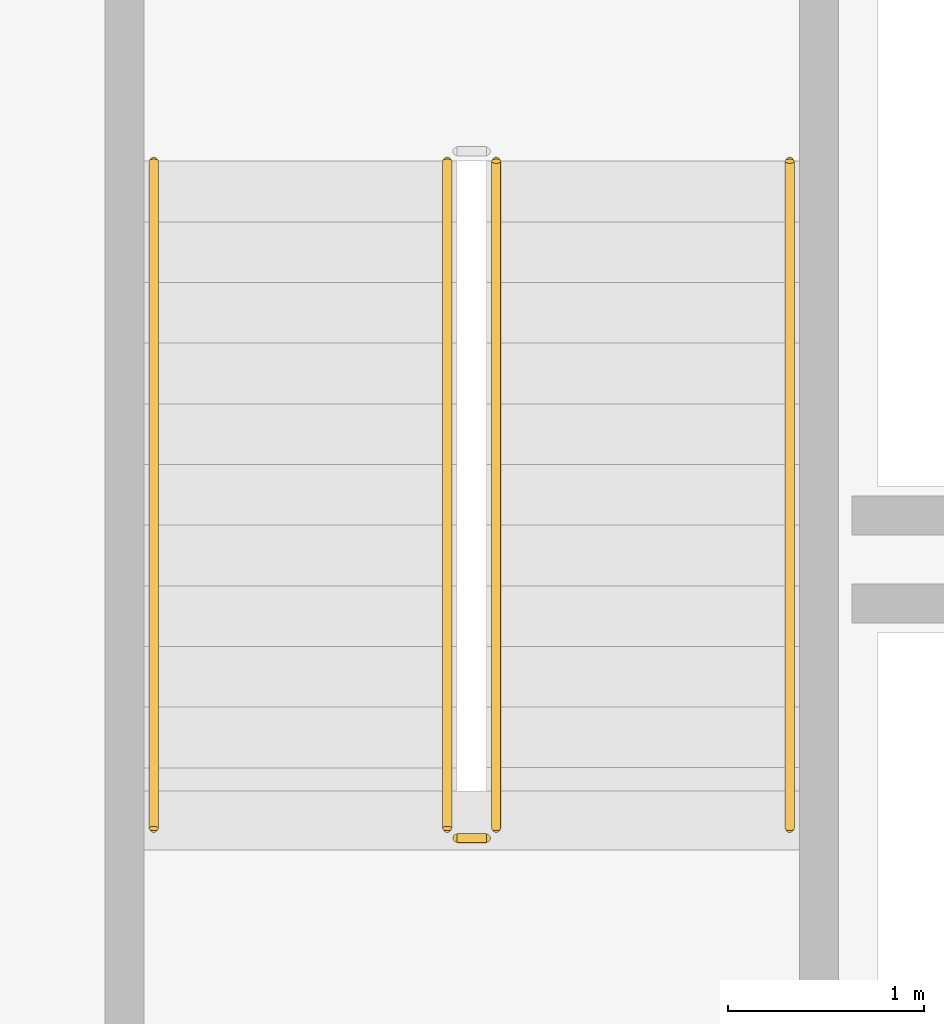
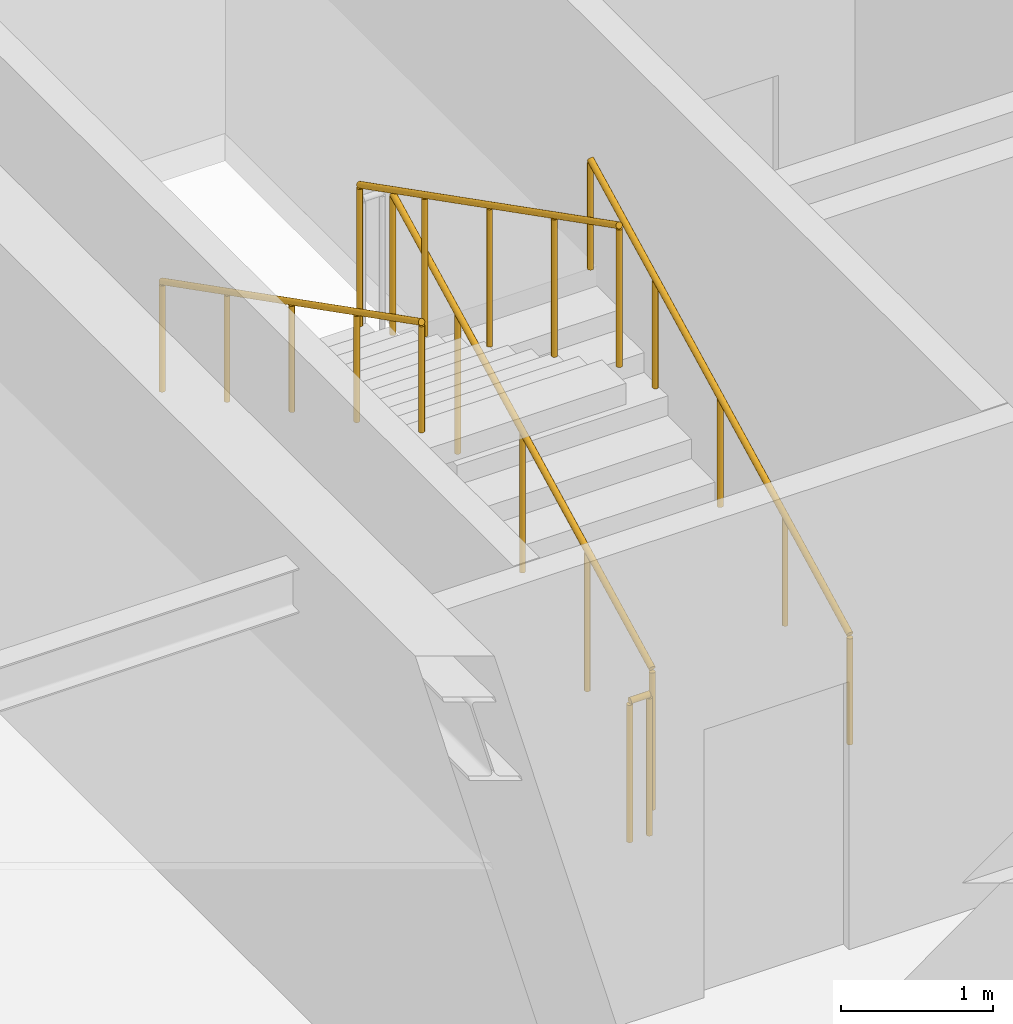
# One storey, part 15 of 20: 5 railings.
"""IFC4 building model written with IfcOpenShell, lengths in metres."""

from ifc_helpers import new_model, si_unit, direction, frame, origin, origin_2d, place, context, subcontext, project, spatial, circle, extrude, material, type_object, element, save


model = new_model("IFC4")

# Units and contexts
model_context = context("Model", 3, precision=1e-05, world=origin(), true_north=direction((0.0, 1.0)))
body_context = subcontext(model_context, "Body", "Model", "MODEL_VIEW")
ifc_project = project(units=[si_unit("LENGTHUNIT", "METRE"), si_unit("AREAUNIT", "SQUARE_METRE"), si_unit("VOLUMEUNIT", "CUBIC_METRE"), si_unit("PLANEANGLEUNIT", "RADIAN"), si_unit("MASSUNIT", "GRAM", prefix="KILO")], contexts=[model_context])

# Site, building, storey
site_placement = place(None, origin())
site = spatial("IfcSite", under=ifc_project, at=site_placement, CompositionType="ELEMENT")
building_placement = place(site_placement, origin())
building = spatial("IfcBuilding", under=site, at=building_placement, Name="Vaeldorn Concourse Tower", CompositionType="ELEMENT")
storey_placement = place(building_placement, frame((0.0, 0.0, 284.0)))
storey = spatial("IfcBuildingStorey", under=building, at=storey_placement, Name="L73", CompositionType="ELEMENT", Elevation=284.0)

# Railings
ifc_material = material(Name="Anodised Bronze Aluminium", Category="aluminium")
railing_type_1 = type_object("IfcRailingType", Name="RL-STAIR-GUARD", PredefinedType="GUARDRAIL", material=ifc_material)
railing_1_placement = place(storey_placement, frame((16.85009765625, 41.60009765625, 0.158447265625)))
element("IfcRailing", 1, at=railing_1_placement, inside=storey, type_object=railing_type_1, Name="L73 ST-1 stair guard 1", PredefinedType="GUARDRAIL", context=body_context, shape_type="SweptSolid", body=[
    extrude(circle(Radius=0.02392578125, at=origin_2d()), frame((0.0, 0.0, 1.1259765625), z_axis=(0.0, 0.890581635807, 0.454823427236), x_axis=(-1.0, 0.0, 0.0)), (0.0, 0.0, 1.0), 3.828857421875),
    extrude(circle(Radius=0.02099609375, at=origin_2d()), origin(), (0.0, 0.0, 1.0), 1.101806640625),
    extrude(circle(Radius=0.02099609375, at=origin_2d()), frame((0.0, 0.8525390625, 0.435302734375)), (0.0, 0.0, 1.0), 1.101806640625),
    extrude(circle(Radius=0.02099609375, at=origin_2d()), frame((0.0, 1.705078125, 0.87060546875)), (0.0, 0.0, 1.0), 1.101806640625),
    extrude(circle(Radius=0.02099609375, at=origin_2d()), frame((0.0, 2.557373046875, 1.30615234375)), (0.0, 0.0, 1.0), 1.101806640625),
    extrude(circle(Radius=0.02099609375, at=origin_2d()), frame((0.0, 3.409912109375, 1.741455078125)), (0.0, 0.0, 1.0), 1.101806640625),
])
railing_2_placement = place(storey_placement, frame((16.60009765625, 45.010009765625, 2.058349609375)))
element("IfcRailing", 2, at=railing_2_placement, inside=storey, type_object=railing_type_1, Name="L73 ST-1 stair guard 3", PredefinedType="GUARDRAIL", context=body_context, shape_type="SweptSolid", body=[
    extrude(circle(Radius=0.02392578125, at=origin_2d()), frame((0.0, 0.0, 1.1259765625), z_axis=(0.0, -0.890555807335, 0.454873997962), x_axis=(1.0, 0.0, 0.0)), (0.0, 0.0, 1.0), 3.828857421875),
    extrude(circle(Radius=0.02099609375, at=origin_2d()), origin(), (0.0, 0.0, 1.0), 1.101806640625),
    extrude(circle(Radius=0.02099609375, at=origin_2d()), frame((0.0, -0.8525390625, 0.435546875)), (0.0, 0.0, 1.0), 1.101806640625),
    extrude(circle(Radius=0.02099609375, at=origin_2d()), frame((0.0, -1.705078125, 0.870849609375)), (0.0, 0.0, 1.0), 1.101806640625),
    extrude(circle(Radius=0.02099609375, at=origin_2d()), frame((0.0, -2.557373046875, 1.30615234375)), (0.0, 0.0, 1.0), 1.101806640625),
    extrude(circle(Radius=0.02099609375, at=origin_2d()), frame((0.0, -3.409912109375, 1.74169921875)), (0.0, 0.0, 1.0), 1.101806640625),
])
railing_3_placement = place(storey_placement, frame((16.800048828125, 41.550048828125, 0.0)))
element("IfcRailing", 3, at=railing_3_placement, inside=storey, type_object=railing_type_1, Name="L73 ST-1 stair guard 4", PredefinedType="GUARDRAIL", context=body_context, shape_type="SweptSolid", body=[
    extrude(circle(Radius=0.02392578125, at=origin_2d()), frame((0.0, 0.0, 1.1259765625), z_axis=(-1.0, 0.0, 0.0), x_axis=(0.0, -1.0, 0.0)), (0.0, 0.0, 1.0), 0.150146484375),
    extrude(circle(Radius=0.02099609375, at=origin_2d()), origin(), (0.0, 0.0, 1.0), 1.101806640625),
    extrude(circle(Radius=0.02099609375, at=origin_2d()), frame((-0.150146484375, 0.0, 0.0)), (0.0, 0.0, 1.0), 1.101806640625),
])
railing_type_2 = type_object("IfcRailingType", Name="RL-STAIR-HANDRAIL", PredefinedType="HANDRAIL", material=ifc_material)
railing_4_placement = place(storey_placement, frame((18.35009765625, 41.60009765625, 0.158447265625)))
element("IfcRailing", 4, at=railing_4_placement, inside=storey, type_object=railing_type_2, Name="L73 ST-1 stair handrail 1", PredefinedType="HANDRAIL", context=body_context, shape_type="SweptSolid", body=[
    extrude(circle(Radius=0.02392578125, at=origin_2d()), frame((0.0, 0.0, 0.8759765625), z_axis=(0.0, 0.890581635807, 0.454823427236), x_axis=(-1.0, 0.0, 0.0)), (0.0, 0.0, 1.0), 3.828857421875),
    extrude(circle(Radius=0.02099609375, at=origin_2d()), origin(), (0.0, 0.0, 1.0), 0.851806640625),
    extrude(circle(Radius=0.02099609375, at=origin_2d()), frame((0.0, 0.8525390625, 0.435302734375)), (0.0, 0.0, 1.0), 0.851806640625),
    extrude(circle(Radius=0.02099609375, at=origin_2d()), frame((0.0, 1.705078125, 0.87060546875)), (0.0, 0.0, 1.0), 0.851806640625),
    extrude(circle(Radius=0.02099609375, at=origin_2d()), frame((0.0, 2.557373046875, 1.30615234375)), (0.0, 0.0, 1.0), 0.851806640625),
    extrude(circle(Radius=0.02099609375, at=origin_2d()), frame((0.0, 3.409912109375, 1.741455078125)), (0.0, 0.0, 1.0), 0.851806640625),
])
railing_5_placement = place(storey_placement, frame((15.10009765625, 45.010009765625, 2.058349609375)))
element("IfcRailing", 5, at=railing_5_placement, inside=storey, type_object=railing_type_2, Name="L73 ST-1 stair handrail 2", PredefinedType="HANDRAIL", context=body_context, shape_type="SweptSolid", body=[
    extrude(circle(Radius=0.02392578125, at=origin_2d()), frame((0.0, 0.0, 0.8759765625), z_axis=(0.0, -0.890555807335, 0.454873997962), x_axis=(1.0, 0.0, 0.0)), (0.0, 0.0, 1.0), 3.828857421875),
    extrude(circle(Radius=0.02099609375, at=origin_2d()), origin(), (0.0, 0.0, 1.0), 0.851806640625),
    extrude(circle(Radius=0.02099609375, at=origin_2d()), frame((0.0, -0.8525390625, 0.435546875)), (0.0, 0.0, 1.0), 0.851806640625),
    extrude(circle(Radius=0.02099609375, at=origin_2d()), frame((0.0, -1.705078125, 0.870849609375)), (0.0, 0.0, 1.0), 0.851806640625),
    extrude(circle(Radius=0.02099609375, at=origin_2d()), frame((0.0, -2.557373046875, 1.30615234375)), (0.0, 0.0, 1.0), 0.851806640625),
    extrude(circle(Radius=0.02099609375, at=origin_2d()), frame((0.0, -3.409912109375, 1.74169921875)), (0.0, 0.0, 1.0), 0.851806640625),
])

save(model, "model.ifc")
